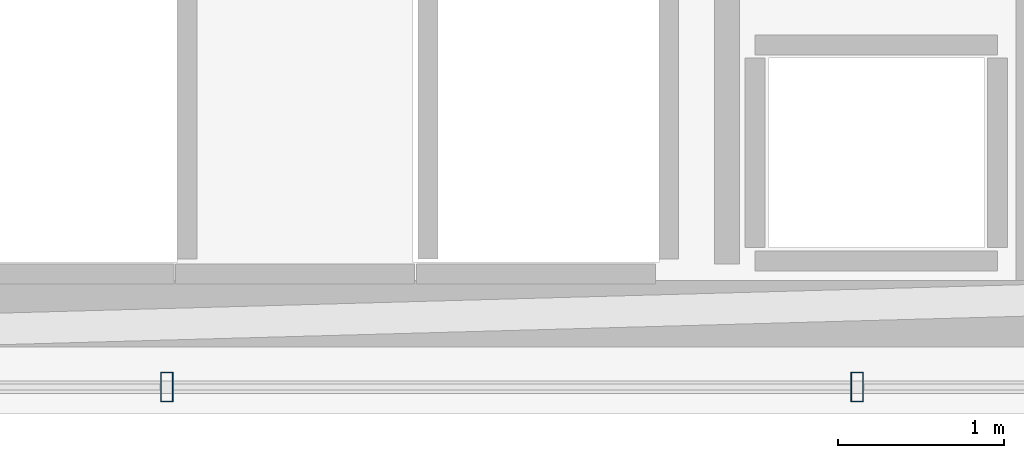
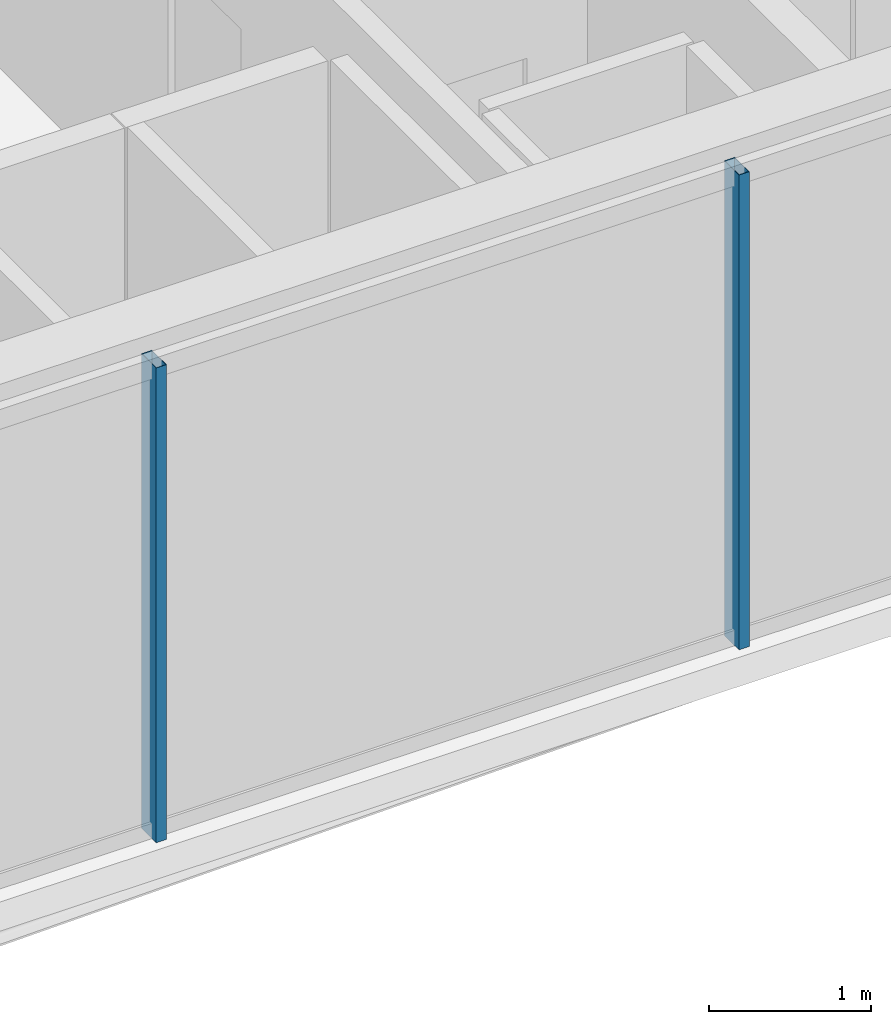
# One storey, part 9 of 35: 2 members, 1 element without a shape of its own.
"""IFC4 building model written with IfcOpenShell, lengths in metres."""

from ifc_helpers import new_model, si_unit, direction, frame, origin, origin_2d, place, context, subcontext, project, spatial, hollow_rectangle, extrude, material, layer, layer_set, material_profile, profile_set, type_object, element, aggregate, save


model = new_model("IFC4")

# Units and contexts
model_context = context("Model", 3, precision=1e-05, world=origin(), true_north=direction((0.0, 1.0)))
body_context = subcontext(model_context, "Body", "Model", "MODEL_VIEW")
ifc_project = project(units=[si_unit("LENGTHUNIT", "METRE"), si_unit("AREAUNIT", "SQUARE_METRE"), si_unit("VOLUMEUNIT", "CUBIC_METRE"), si_unit("PLANEANGLEUNIT", "RADIAN"), si_unit("MASSUNIT", "GRAM", prefix="KILO")], contexts=[model_context])

# Site, building, storey
site_placement = place(None, origin())
site = spatial("IfcSite", under=ifc_project, at=site_placement, CompositionType="ELEMENT")
building_placement = place(site_placement, origin())
building = spatial("IfcBuilding", under=site, at=building_placement, Name="Ndaravel Arena Tower", CompositionType="ELEMENT")
storey_placement = place(building_placement, frame((0.0, 0.0, 180.199951171875)))
storey = spatial("IfcBuildingStorey", under=building, at=storey_placement, Name="L43", CompositionType="ELEMENT", Elevation=180.199951171875)

# Curtain wall, members
ifc_material_1 = material(Name="Aluminium", Category="aluminium")
ifc_layer = layer(ifc_material_1, 0.179931640625)
ifc_layer_set = layer_set([ifc_layer], Name="Aluminium")
curtain_wall_type = type_object("IfcCurtainWallType", Name="CW-SYS-03", PredefinedType="NOTDEFINED", material=ifc_layer_set)
curtain_wall_placement = place(storey_placement, origin())
curtain_wall = element("IfcCurtainWall", 1, at=curtain_wall_placement, inside=storey, type_object=curtain_wall_type, Name="L43 Faceted Crystal Curtain Wall CW-L43-E01", PredefinedType="NOTDEFINED")
ifc_material_2 = material(Name="Aluminium", Category="aluminium")
ifc_material_profile = material_profile(ifc_material_2, hollow_rectangle(XDim=0.074951171875, YDim=0.179931640625, WallThickness=0.00390625, at=origin_2d()), Name="CW MULLION 75x180x4")
ifc_profile_set = profile_set([ifc_material_profile], Name="Aluminium")
member_type = type_object("IfcMemberType", Name="MEM-CW-MUL180", PredefinedType="MULLION", material=ifc_profile_set)
member_1_placement = place(storey_placement, frame((44.078125, 5.159912109375, 0.0), z_axis=(0.0, 0.0, 1.0), x_axis=(1.0, 0.0, 0.0)))
member_1 = element("IfcMember", 2, at=member_1_placement, type_object=member_type, Name="CW-L43-E01 Mullion 05", PredefinedType="MULLION", context=body_context, shape_type="SweptSolid", body=[
    extrude(hollow_rectangle(XDim=0.074951171875, YDim=0.179931640625, WallThickness=0.00390625, at=origin_2d()), origin(), (0.0, 0.0, 1.0), 3.580078125),
])
member_2_placement = place(storey_placement, frame((48.234619140625, 5.159912109375, 0.0), z_axis=(0.0, 0.0, 1.0), x_axis=(1.0, 0.0, 0.0)))
member_2 = element("IfcMember", 3, at=member_2_placement, type_object=member_type, Name="CW-L43-E01 Mullion 06", PredefinedType="MULLION", context=body_context, shape_type="SweptSolid", body=[
    extrude(hollow_rectangle(XDim=0.074951171875, YDim=0.179931640625, WallThickness=0.00390625, at=origin_2d()), origin(), (0.0, 0.0, 1.0), 3.580078125),
])
aggregate(curtain_wall, [member_1, member_2])

save(model, "model.ifc")
